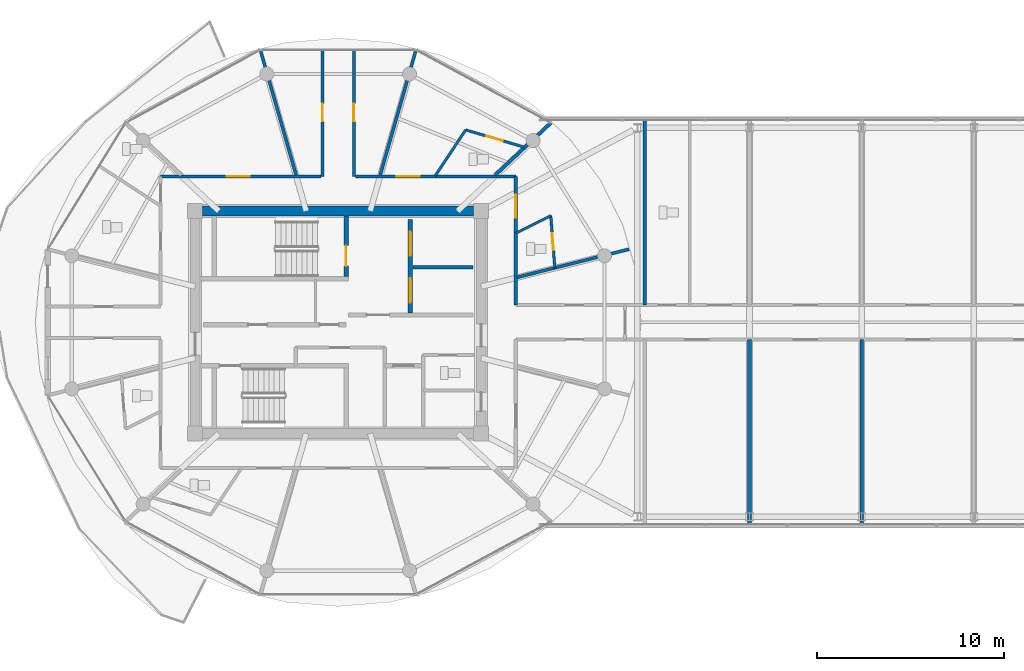
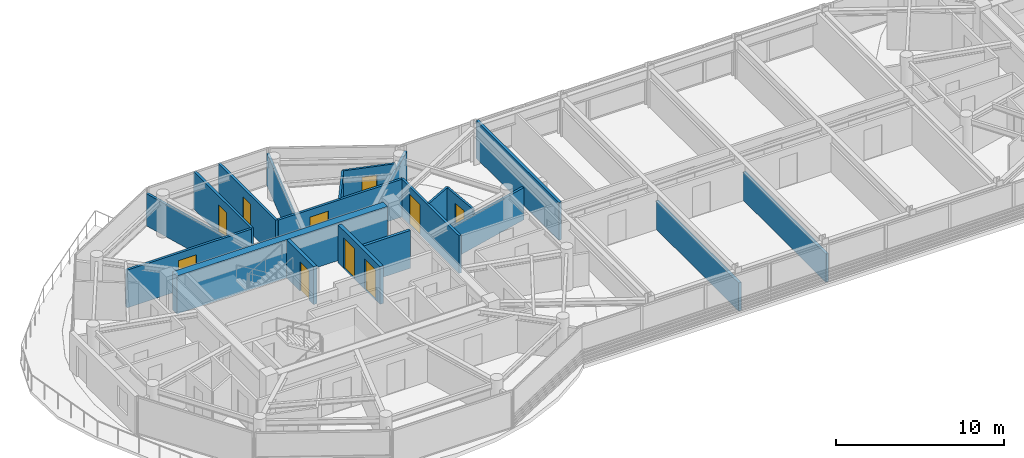
# One storey, part 16 of 26: 20 walls, 10 doors, 10 openings.
"""IFC4 building model written with IfcOpenShell, lengths in metres."""

import ifcopenshell
import ifcopenshell.guid

model = None  # the IFC model being written
_history = None  # IfcOwnerHistory: only IFC2X3 demands one
_inside = {}  # id of a spatial element -> (the spatial element, [elements in it])
_under = {}  # id of a project, library or spatial element -> (it, [spatial elements below it])
_declared = {}  # id of a project -> (the project, [libraries it declares])
_typed = {}  # id of a type object -> (the type object, [elements of that type])
_made_of = {}  # id of a material, layer set ... -> (it, [elements and type objects made of it])


def new_model(schema):
    """Start an empty IFC model of exactly this schema.

    Asked for "IFC4X3", IfcOpenShell would pick the latest addendum, in which some entities
    have other attributes; the version numbers below select the first issue.
    IFC2X3 requires an IfcOwnerHistory on every rooted entity: one is made here for all.
    """
    global model, _history
    if schema == "IFC4X3":
        model = ifcopenshell.file(schema_version=(4, 3, 0, 0))
    else:
        model = ifcopenshell.file(schema=schema)
    _inside.clear()
    _under.clear()
    _declared.clear()
    _typed.clear()
    _made_of.clear()
    _history = None
    if model.schema == "IFC2X3":
        org = make("IfcOrganization", Name="unknown")
        user = make(
            "IfcPersonAndOrganization",
            ThePerson=make("IfcPerson", FamilyName="unknown"),
            TheOrganization=org,
        )
        app = make(
            "IfcApplication",
            ApplicationDeveloper=org,
            Version="unknown",
            ApplicationFullName="unknown",
            ApplicationIdentifier="unknown",
        )
        _history = make(
            "IfcOwnerHistory",
            OwningUser=user,
            OwningApplication=app,
            ChangeAction="ADDED",
            CreationDate=0,
        )
    return model


def make(cls, **values):
    """One entity of the class cls with the attributes given. An attribute that is None is left unset."""
    return model.create_entity(
        cls, **{name: value for name, value in values.items() if value is not None}
    )


def rooted(cls, **values):
    """An entity with a GlobalId (a new one), such as an element, a storey or a relation."""
    return make(cls, GlobalId=ifcopenshell.guid.new(), OwnerHistory=_history, **values)


def si_unit(unit_type, name, prefix=None):
    """IfcSIUnit, for example si_unit("LENGTHUNIT", "METRE", prefix="MILLI")."""
    return make("IfcSIUnit", UnitType=unit_type, Prefix=prefix, Name=name)


def assignment(units):
    """IfcUnitAssignment: the units of a project."""
    return None if units is None else make("IfcUnitAssignment", Units=units)


def point(xyz):
    """IfcCartesianPoint."""
    return None if xyz is None else make("IfcCartesianPoint", Coordinates=xyz)


def direction(xyz):
    """IfcDirection."""
    return None if xyz is None else make("IfcDirection", DirectionRatios=xyz)


def frame(location, z_axis=None, x_axis=None):
    """IfcAxis2Placement3D, a coordinate frame: its origin and axes. An axis left out is left unset."""
    return make(
        "IfcAxis2Placement3D",
        Location=point(location),
        Axis=direction(z_axis),
        RefDirection=direction(x_axis),
    )


def frame_2d(location, x_axis=None):
    """IfcAxis2Placement2D, a coordinate frame in the plane: its origin and x axis."""
    return make(
        "IfcAxis2Placement2D", Location=point(location), RefDirection=direction(x_axis)
    )


def origin():
    """The frame at (0, 0, 0) with its axes left unset."""
    return frame((0.0, 0.0, 0.0))


def place(relative_to, where):
    """IfcLocalPlacement: puts the frame where relative to a parent placement (None: the world)."""
    return make(
        "IfcLocalPlacement", PlacementRelTo=relative_to, RelativePlacement=where
    )


def context(
    kind, dimensions, precision=None, world=None, true_north=None, identifier=None
):
    """IfcGeometricRepresentationContext, for example the 3D "Model" context."""
    return make(
        "IfcGeometricRepresentationContext",
        ContextIdentifier=identifier,
        ContextType=kind,
        CoordinateSpaceDimension=dimensions,
        Precision=precision,
        WorldCoordinateSystem=world,
        TrueNorth=true_north,
    )


def subcontext(parent, identifier, kind, view, scale=None):
    """IfcGeometricRepresentationSubContext, for example "Body" below "Model"."""
    return make(
        "IfcGeometricRepresentationSubContext",
        ContextIdentifier=identifier,
        ContextType=kind,
        ParentContext=parent,
        TargetScale=scale,
        TargetView=view,
    )


def project(units=None, contexts=None):
    """IfcProject with its units and contexts."""
    return rooted(
        "IfcProject",
        Name="project",
        RepresentationContexts=contexts,
        UnitsInContext=assignment(units),
    )


def spatial(cls, under=None, at=None, **own):
    """A site, building, storey or space (cls), placed at a placement, below another one or the project."""
    s = rooted(cls, ObjectPlacement=at, **own)
    if under is not None:
        _under.setdefault(under.id(), (under, []))[1].append(s)
    return s


def profile(cls, at=None, kind="AREA", **sizes):
    """A parametric profile (cls). Its sizes go by their IFC names, for example OverallWidth=200.0."""
    return make(cls, ProfileType=kind, Position=at, **sizes)


def rectangle(**sizes):
    """IfcRectangleProfileDef."""
    return profile("IfcRectangleProfileDef", **sizes)


def extrude(swept, where, along, depth):
    """IfcExtrudedAreaSolid: the profile swept, set in the frame where, extruded along a direction by depth."""
    return make(
        "IfcExtrudedAreaSolid",
        SweptArea=swept,
        Position=where,
        ExtrudedDirection=direction(along),
        Depth=depth,
    )


def shape(context_of_items, identifier, shape_type, items):
    """IfcShapeRepresentation: the items that make up one representation, for example the "Body"."""
    return make(
        "IfcShapeRepresentation",
        ContextOfItems=context_of_items,
        RepresentationIdentifier=identifier,
        RepresentationType=shape_type,
        Items=items,
    )


def source(mapping_origin, context_of_items, identifier, shape_type, items):
    """IfcRepresentationMap: a shape defined once, which mapped items show again and again."""
    return make(
        "IfcRepresentationMap",
        MappingOrigin=mapping_origin,
        MappedRepresentation=shape(context_of_items, identifier, shape_type, items),
    )


def transform(
    local_origin,
    x_axis=None,
    y_axis=None,
    z_axis=None,
    scale=None,
    scale2=None,
    scale3=None,
    uniform=True,
):
    """IfcCartesianTransformationOperator3D, or its non-uniform kind. x_axis, y_axis, z_axis: its Axis1, 2, 3."""
    if uniform:
        return make(
            "IfcCartesianTransformationOperator3D",
            Axis1=direction(x_axis),
            Axis2=direction(y_axis),
            LocalOrigin=point(local_origin),
            Scale=scale,
            Axis3=direction(z_axis),
        )
    return make(
        "IfcCartesianTransformationOperator3DnonUniform",
        Axis1=direction(x_axis),
        Axis2=direction(y_axis),
        LocalOrigin=point(local_origin),
        Scale=scale,
        Axis3=direction(z_axis),
        Scale2=scale2,
        Scale3=scale3,
    )


def mapped(mapping_source, mapping_target):
    """IfcMappedItem: shows the shape of a source again, moved by a transform."""
    return make(
        "IfcMappedItem", MappingSource=mapping_source, MappingTarget=mapping_target
    )


def material(Name=None, Category=None):
    """IfcMaterial."""
    return make("IfcMaterial", Name=Name, Category=Category)


def layer(
    of_material, thickness, ventilated=None, Name=None, Category=None, Priority=None
):
    """IfcMaterialLayer: one layer of a wall or slab, of a material (None: an air gap)."""
    return make(
        "IfcMaterialLayer",
        Material=of_material,
        LayerThickness=thickness,
        IsVentilated=ventilated,
        Name=Name,
        Category=Category,
        Priority=Priority,
    )


def layer_set(layers, Name=None):
    """IfcMaterialLayerSet."""
    return make("IfcMaterialLayerSet", MaterialLayers=layers, LayerSetName=Name)


def made_of(thing, what):
    """Note that an element or type object is made of a material, layer set ...; save() writes the relation."""
    if what is not None:
        _made_of.setdefault(what.id(), (what, []))[1].append(thing)
    return thing


def type_object(cls, material=None, **own):
    """A type object (cls), such as IfcWallType, which elements share."""
    return made_of(rooted(cls, **own), material)


def type_shapes(of_type, sources):
    """Give a type object the sources (RepresentationMaps) that its elements show as mapped items."""
    of_type.RepresentationMaps = sources


def element(
    cls,
    number,
    at=None,
    inside=None,
    cuts=None,
    type_object=None,
    material=None,
    context=None,
    identifier="Body",
    shape_type=None,
    held_by="IfcProductDefinitionShape",
    body=None,
    shapes=None,
    **own,
):
    """One element of the class cls, such as IfcWall. Its Tag is "e" and its number.

    at: its placement. inside: the storey or other place that contains it. cuts: it is an
    opening in that element (IfcRelVoidsElement). A single representation is given by context,
    identifier, shape_type and body (its items); several are given by shapes. held_by: the class
    of the entity that holds the representations. save() writes the other relations.
    """
    e = rooted(cls, Tag="e%d" % number, ObjectPlacement=at, **own)
    if body is not None:
        shapes = [shape(context, identifier, shape_type, body)]
    if shapes is not None:
        e.Representation = make(held_by, Representations=shapes)
    if inside is not None:
        _inside.setdefault(inside.id(), (inside, []))[1].append(e)
    if cuts is not None:
        rooted(
            "IfcRelVoidsElement", RelatingBuildingElement=cuts, RelatedOpeningElement=e
        )
    if type_object is not None:
        _typed.setdefault(type_object.id(), (type_object, []))[1].append(e)
    return made_of(e, material)


def fill(opening, filler):
    """IfcRelFillsElement: the door or window that sits in an opening."""
    return rooted(
        "IfcRelFillsElement",
        RelatingOpeningElement=opening,
        RelatedBuildingElement=filler,
    )


def aggregate(whole, parts):
    """IfcRelAggregates: a whole, such as a stair, and the parts it consists of."""
    return rooted("IfcRelAggregates", RelatingObject=whole, RelatedObjects=parts)


def save(model, path):
    """Write the relations noted so far, then the file.

    IfcRelAggregates (storeys below a building ...), IfcRelContainedInSpatialStructure (elements
    in a storey), IfcRelDefinesByType, IfcRelAssociatesMaterial and IfcRelDeclares: one each for
    every whole, place, type object, material and project.
    """
    for whole, parts in _under.values():
        aggregate(whole, parts)
    for where, things in _inside.values():
        rooted(
            "IfcRelContainedInSpatialStructure",
            RelatedElements=things,
            RelatingStructure=where,
        )
    for kind, things in _typed.values():
        rooted("IfcRelDefinesByType", RelatedObjects=things, RelatingType=kind)
    for what, things in _made_of.values():
        rooted("IfcRelAssociatesMaterial", RelatedObjects=things, RelatingMaterial=what)
    for by, libraries in _declared.values():
        rooted("IfcRelDeclares", RelatingContext=by, RelatedDefinitions=libraries)
    model.write(path)


model = new_model("IFC4")

# Units and contexts
model_context = context("Model", 3, precision=1e-05, world=origin(), true_north=direction((0.0, 1.0)))
body_context = subcontext(model_context, "Body", "Model", "MODEL_VIEW")
ifc_project = project(units=[si_unit("LENGTHUNIT", "METRE"), si_unit("AREAUNIT", "SQUARE_METRE"), si_unit("VOLUMEUNIT", "CUBIC_METRE"), si_unit("PLANEANGLEUNIT", "RADIAN"), si_unit("MASSUNIT", "GRAM", prefix="KILO")], contexts=[model_context])

# Site, building, storey
site_placement = place(None, origin())
site = spatial("IfcSite", under=ifc_project, at=site_placement, CompositionType="ELEMENT")
building_placement = place(site_placement, origin())
building = spatial("IfcBuilding", under=site, at=building_placement, Name="Norrkilde Senior Care Towers", CompositionType="ELEMENT")
storey_placement = place(building_placement, frame((0.0, 0.0, 210.85009765625)))
storey = spatial("IfcBuildingStorey", under=building, at=storey_placement, Name="L65", CompositionType="ELEMENT", Elevation=210.85009765625)

# Wall
ifc_material_1 = material(Name="Concrete C50/60", Category="concrete")
ifc_layer_1 = layer(ifc_material_1, 0.52001953125)
ifc_layer_set_1 = layer_set([ifc_layer_1], Name="Concrete C50/60")
wall_type_1 = type_object("IfcWallType", Name="Core Shear Wall Z4 520", PredefinedType="SHEAR", material=ifc_layer_set_1)
shared_shape_1 = source(origin(), body_context, "Body", "SweptSolid", [
    extrude(rectangle(XDim=14.5, YDim=0.52001953125, at=frame_2d((7.25, 0.0))), origin(), (0.0, 0.0, 1.0), 2.760009765625),
])
type_shapes(wall_type_1, [shared_shape_1])
wall_1_placement = place(storey_placement, frame((-35.25, 5.949951171875, 0.0), z_axis=(0.0, 0.0, 1.0), x_axis=(1.0, 0.0, 0.0)))
element("IfcWall", 1, at=wall_1_placement, inside=storey, type_object=wall_type_1, Name="L65 Core W North Shear Wall", PredefinedType="SHEAR", context=body_context, shape_type="MappedRepresentation", body=[
    mapped(shared_shape_1, transform((0.0, 0.0, 0.0), x_axis=(1.0, 0.0, 0.0), y_axis=(0.0, 1.0, 0.0), z_axis=(0.0, 0.0, 1.0), scale=1.0)),
])

# Wall, opening, door
ifc_material_2 = material(Name="Concrete C45/55", Category="concrete")
ifc_layer_2 = layer(ifc_material_2, 0.239990234375)
ifc_layer_set_2 = layer_set([ifc_layer_2], Name="Concrete C45/55")
wall_type_2 = type_object("IfcWallType", Name="Shaft and Stair Enclosure Wall 240", PredefinedType="PARTITIONING", material=ifc_layer_set_2)
shared_shape_2 = source(origin(), body_context, "Body", "SweptSolid", [
    extrude(rectangle(XDim=3.239990234375, YDim=0.239990234375, at=frame_2d((1.6201171875, 0.0))), origin(), (0.0, 0.0, 1.0), 2.760009765625),
])
type_shapes(wall_type_2, [shared_shape_2])
wall_2_placement = place(storey_placement, frame((-27.580078125, 2.449951171875, 0.0), z_axis=(0.0, 0.0, 1.0), x_axis=(0.0, 1.0, 0.0)))
wall_2 = element("IfcWall", 2, at=wall_2_placement, inside=storey, type_object=wall_type_2, Name="WL-INT-L65-W-ST1E", PredefinedType="PARTITIONING", context=body_context, shape_type="MappedRepresentation", body=[
    mapped(shared_shape_2, transform((0.0, 0.0, 0.0), x_axis=(1.0, 0.0, 0.0), y_axis=(0.0, 1.0, 0.0), z_axis=(0.0, 0.0, 1.0), scale=1.0)),
])
opening_1_placement = place(wall_2_placement, frame((0.550048828125, 0.0, 0.0)))
opening_1 = element("IfcOpeningElement", 3, at=opening_1_placement, cuts=wall_2, Name="Opening D-03", PredefinedType="OPENING", context=body_context, shape_type="SweptSolid", body=[
    extrude(rectangle(XDim=1.10009765625, YDim=2.14990234375, at=frame_2d((0.550048828125, 1.074951171875))), frame((0.0, 0.1298828125, 0.0), z_axis=(0.0, -1.0, 0.0), x_axis=(1.0, 0.0, 0.0)), (0.0, 0.0, 1.0), 0.260009765625),
])
ifc_material_3 = material(Name="Galvanised Painted Steel", Category="steel")
door_type_1 = type_object("IfcDoorType", Name="Stairwell Protected Fire Door 1100x2150", OperationType="NOTDEFINED", PredefinedType="DOOR", material=ifc_material_3)
shared_shape_3 = source(origin(), body_context, "Body", "SweptSolid", [
    extrude(rectangle(XDim=1.10009765625, YDim=2.14990234375, at=frame_2d((0.550048828125, 1.074951171875))), frame((0.0, 0.02490234375, 0.0), z_axis=(0.0, -1.0, 0.0), x_axis=(1.0, 0.0, 0.0)), (0.0, 0.0, 1.0), 0.050048828125),
])
type_shapes(door_type_1, [shared_shape_3])
door_1_placement = place(opening_1_placement, origin())
door_1 = element("IfcDoor", 4, at=door_1_placement, inside=storey, type_object=door_type_1, Name="L65 Stair W1 Fire Door", OperationType="SINGLE_SWING_LEFT", OverallHeight=2.14990234375, OverallWidth=1.10009765625, PredefinedType="DOOR", context=body_context, shape_type="MappedRepresentation", body=[
    mapped(shared_shape_3, transform((0.0, 0.0, 0.0), x_axis=(1.0, 0.0, 0.0), y_axis=(0.0, 1.0, 0.0), z_axis=(0.0, 0.0, 1.0), scale=1.0)),
])
fill(opening_1, door_1)

# Walls
ifc_material_4 = material(Name="Gypsum Acoustic Board")
ifc_layer_3 = layer(ifc_material_4, 0.1650390625)
ifc_layer_set_3 = layer_set([ifc_layer_3], Name="Gypsum Acoustic Board")
wall_type_3 = type_object("IfcWallType", Name="Corridor Rated Partition 165", PredefinedType="PARTITIONING", material=ifc_layer_set_3)
shared_shape_4 = source(origin(), body_context, "Body", "SweptSolid", [
    extrude(rectangle(XDim=6.973876953125, YDim=0.1650390625, at=frame_2d((3.48681640625, 0.0))), origin(), (0.0, 0.0, 1.0), 2.344970703125),
])
for number, where, z_axis, x_axis, name in (
    (5, (-25.748779296875, 7.8798828125, 0.0), (0.0, 0.0, 1.0), (0.274707256801, 0.961527910703, 0.0), "WL-INT-L65-W-DEM-02-0"),
    (6, (-30.251220703125, 7.8798828125, 0.0), (0.0, 0.0, 1.0), (-0.274707256801, 0.961527910703, 0.0), "WL-INT-L65-W-DEM-03-0"),
):
    element("IfcWall", number, at=place(storey_placement, frame(where, z_axis=z_axis, x_axis=x_axis)), inside=storey, type_object=wall_type_3, Name=name, PredefinedType="PARTITIONING", context=body_context, shape_type="MappedRepresentation", body=[
        mapped(shared_shape_4, transform((0.0, 0.0, 0.0), x_axis=(1.0, 0.0, 0.0), y_axis=(0.0, 1.0, 0.0), z_axis=(0.0, 0.0, 1.0), scale=1.0)),
    ])
shared_shape_5 = source(origin(), body_context, "Body", "SweptSolid", [
    extrude(rectangle(XDim=6.1572265625, YDim=0.1650390625, at=frame_2d((3.07861328125, 0.0))), origin(), (0.0, 0.0, 1.0), 2.344970703125),
])
wall_3_placement = place(storey_placement, frame((-18.419921875, 2.407470703125, 0.0), z_axis=(0.0, 0.0, 1.0), x_axis=(0.969840867184, 0.243738984038, 0.0)))
element("IfcWall", 7, at=wall_3_placement, inside=storey, type_object=wall_type_3, Name="WL-INT-L65-W-DEM-00-0", PredefinedType="PARTITIONING", context=body_context, shape_type="MappedRepresentation", body=[
    mapped(shared_shape_5, transform((0.0, 0.0, 0.0), x_axis=(1.0, 0.0, 0.0), y_axis=(0.0, 1.0, 0.0), z_axis=(0.0, 0.0, 1.0), scale=1.0)),
])
ifc_layer_4 = layer(ifc_material_4, 0.18994140625)
ifc_layer_set_4 = layer_set([ifc_layer_4], Name="Gypsum Acoustic Board")
wall_type_4 = type_object("IfcWallType", Name="Unit Demising Acoustic Wall 190", PredefinedType="PARTITIONING", material=ifc_layer_set_4)
shared_shape_6 = source(origin(), body_context, "Body", "SweptSolid", [
    extrude(rectangle(XDim=4.089111328125, YDim=0.18994140625, at=frame_2d((2.04443359375, 0.0))), origin(), (0.0, 0.0, 1.0), 2.344970703125),
])
wall_4_placement = place(storey_placement, frame((-19.59814453125, 7.8798828125, 0.0), z_axis=(0.0, 0.0, 1.0), x_axis=(0.729401273609, 0.684086092577, 0.0)))
element("IfcWall", 8, at=wall_4_placement, inside=storey, type_object=wall_type_4, Name="WL-INT-L65-W-DEM-01-0", PredefinedType="PARTITIONING", context=body_context, shape_type="MappedRepresentation", body=[
    mapped(shared_shape_6, transform((0.0, 0.0, 0.0), x_axis=(1.0, 0.0, 0.0), y_axis=(0.0, 1.0, 0.0), z_axis=(0.0, 0.0, 1.0), scale=1.0)),
])

# Wall, openings, doors
ifc_layer_5 = layer(ifc_material_2, 0.239990234375)
ifc_layer_set_5 = layer_set([ifc_layer_5], Name="Concrete C45/55")
wall_type_5 = type_object("IfcWallType", Name="Lift and Plant Rated Enclosure Partition 240", PredefinedType="PARTITIONING", material=ifc_layer_set_5)
shared_shape_7 = source(origin(), body_context, "Body", "SweptSolid", [
    extrude(rectangle(XDim=5.0, YDim=0.239990234375, at=frame_2d((2.5, 0.0))), origin(), (0.0, 0.0, 1.0), 2.744873046875),
])
type_shapes(wall_type_5, [shared_shape_7])
wall_5_placement = place(storey_placement, frame((-24.139892578125, 0.5, 0.0), z_axis=(0.0, 0.0, 1.0), x_axis=(0.0, 1.0, 0.0)))
wall_5 = element("IfcWall", 9, at=wall_5_placement, inside=storey, type_object=wall_type_5, Name="WL-INT-L65-W-FFLE", PredefinedType="PARTITIONING", context=body_context, shape_type="MappedRepresentation", body=[
    mapped(shared_shape_7, transform((0.0, 0.0, 0.0), x_axis=(1.0, 0.0, 0.0), y_axis=(0.0, 1.0, 0.0), z_axis=(0.0, 0.0, 1.0), scale=1.0)),
])
opening_2_placement = place(wall_5_placement, frame((3.050048828125, 0.0, 0.0)))
opening_2 = element("IfcOpeningElement", 10, at=opening_2_placement, cuts=wall_5, Name="Opening LD-02", PredefinedType="OPENING", context=body_context, shape_type="SweptSolid", body=[
    extrude(rectangle(XDim=1.300048828125, YDim=2.199951171875, at=frame_2d((0.64990234375, 1.10009765625))), frame((0.0, 0.1298828125, 0.0), z_axis=(0.0, -1.0, 0.0), x_axis=(1.0, 0.0, 0.0)), (0.0, 0.0, 1.0), 0.260009765625),
])
opening_3_placement = place(wall_5_placement, frame((0.550048828125, 0.0, 0.0)))
opening_3 = element("IfcOpeningElement", 11, at=opening_3_placement, cuts=wall_5, Name="Opening LD-02", PredefinedType="OPENING", context=body_context, shape_type="SweptSolid", body=[
    extrude(rectangle(XDim=1.300048828125, YDim=2.199951171875, at=frame_2d((0.64990234375, 1.10009765625))), frame((0.0, 0.1298828125, 0.0), z_axis=(0.0, -1.0, 0.0), x_axis=(1.0, 0.0, 0.0)), (0.0, 0.0, 1.0), 0.260009765625),
])
ifc_material_5 = material(Name="Stainless Steel", Category="steel")
door_type_2 = type_object("IfcDoorType", Name="Stretcher and FFL Landing Sliding Door 1300x2200", OperationType="NOTDEFINED", PredefinedType="DOOR", material=ifc_material_5)
shared_shape_8 = source(origin(), body_context, "Body", "SweptSolid", [
    extrude(rectangle(XDim=1.300048828125, YDim=2.199951171875, at=frame_2d((0.64990234375, 1.10009765625))), frame((0.0, 0.02490234375, 0.0), z_axis=(0.0, -1.0, 0.0), x_axis=(1.0, 0.0, 0.0)), (0.0, 0.0, 1.0), 0.050048828125),
])
type_shapes(door_type_2, [shared_shape_8])
door_2_placement = place(opening_2_placement, origin())
door_2 = element("IfcDoor", 12, at=door_2_placement, inside=storey, type_object=door_type_2, Name="L65 Firefighting Lift W1 Landing Door", OperationType="SLIDING_TO_LEFT", OverallHeight=2.199951171875, OverallWidth=1.300048828125, PredefinedType="DOOR", context=body_context, shape_type="MappedRepresentation", body=[
    mapped(shared_shape_8, transform((0.0, 0.0, 0.0), x_axis=(1.0, 0.0, 0.0), y_axis=(0.0, 1.0, 0.0), z_axis=(0.0, 0.0, 1.0), scale=1.0)),
])
fill(opening_2, door_2)
door_3_placement = place(opening_3_placement, origin())
door_3 = element("IfcDoor", 13, at=door_3_placement, inside=storey, type_object=door_type_2, Name="L65 Stretcher Lift W1 Landing Door", OperationType="SLIDING_TO_RIGHT", OverallHeight=2.199951171875, OverallWidth=1.300048828125, PredefinedType="DOOR", context=body_context, shape_type="MappedRepresentation", body=[
    mapped(shared_shape_8, transform((0.0, 0.0, 0.0), x_axis=(1.0, 0.0, 0.0), y_axis=(0.0, 1.0, 0.0), z_axis=(0.0, 0.0, 1.0), scale=1.0)),
])
fill(opening_3, door_3)

# Wall
ifc_layer_6 = layer(ifc_material_2, 0.199951171875)
ifc_layer_set_6 = layer_set([ifc_layer_6], Name="Concrete C45/55")
wall_type_6 = type_object("IfcWallType", Name="Shaft Division and Plant Partition 200", PredefinedType="PARTITIONING", material=ifc_layer_set_6)
shared_shape_9 = source(origin(), body_context, "Body", "SweptSolid", [
    extrude(rectangle(XDim=3.199951171875, YDim=0.199951171875, at=frame_2d((1.60009765625, 0.0))), origin(), (0.0, 0.0, 1.0), 2.744873046875),
])
type_shapes(wall_type_6, [shared_shape_9])
wall_6_placement = place(storey_placement, frame((-24.0, 2.949951171875, 0.0), z_axis=(0.0, 0.0, 1.0), x_axis=(1.0, 0.0, 0.0)))
element("IfcWall", 14, at=wall_6_placement, inside=storey, type_object=wall_type_6, Name="WL-INT-L65-W-FFLDIV", PredefinedType="PARTITIONING", context=body_context, shape_type="MappedRepresentation", body=[
    mapped(shared_shape_9, transform((0.0, 0.0, 0.0), x_axis=(1.0, 0.0, 0.0), y_axis=(0.0, 1.0, 0.0), z_axis=(0.0, 0.0, 1.0), scale=1.0)),
])

# Wall, opening, door
shared_shape_10 = source(origin(), body_context, "Body", "SweptSolid", [
    extrude(rectangle(XDim=8.580078125, YDim=0.1650390625, at=frame_2d((4.2900390625, 0.0))), origin(), (0.0, 0.0, 1.0), 2.744873046875),
])
wall_7_placement = place(storey_placement, frame((-37.5, 7.800048828125, 0.0), z_axis=(0.0, 0.0, 1.0), x_axis=(1.0, 0.0, 0.0)))
wall_7 = element("IfcWall", 15, at=wall_7_placement, inside=storey, type_object=wall_type_3, Name="WL-INT-L65-W-CRW-N-0", PredefinedType="PARTITIONING", context=body_context, shape_type="MappedRepresentation", body=[
    mapped(shared_shape_10, transform((0.0, 0.0, 0.0), x_axis=(1.0, 0.0, 0.0), y_axis=(0.0, 1.0, 0.0), z_axis=(0.0, 0.0, 1.0), scale=1.0)),
])
opening_4_placement = place(wall_7_placement, frame((3.527587890625, 0.0, 0.0)))
opening_4 = element("IfcOpeningElement", 16, at=opening_4_placement, cuts=wall_7, Name="Opening D-05", PredefinedType="OPENING", context=body_context, shape_type="SweptSolid", body=[
    extrude(rectangle(XDim=1.25, YDim=2.199951171875, at=frame_2d((0.625, 1.10009765625))), frame((0.0, 0.092529296875, 0.0), z_axis=(0.0, -1.0, 0.0), x_axis=(1.0, 0.0, 0.0)), (0.0, 0.0, 1.0), 0.18505859375),
])
ifc_material_6 = material(Name="Nordic Ash Timber", Category="wood")
door_type_3 = type_object("IfcDoorType", Name="Care Bedroom Bariatric Door 1250x2200", OperationType="NOTDEFINED", PredefinedType="DOOR", material=ifc_material_6)
shared_shape_11 = source(origin(), body_context, "Body", "SweptSolid", [
    extrude(rectangle(XDim=1.25, YDim=2.199951171875, at=frame_2d((0.625, 1.10009765625))), frame((0.0, 0.02490234375, 0.0), z_axis=(0.0, -1.0, 0.0), x_axis=(1.0, 0.0, 0.0)), (0.0, 0.0, 1.0), 0.050048828125),
])
type_shapes(door_type_3, [shared_shape_11])
door_4_placement = place(opening_4_placement, frame((1.25, 0.0, 0.0), z_axis=(0.0, 0.0, 1.0), x_axis=(-1.0, 0.0, 0.0)))
door_4 = element("IfcDoor", 17, at=door_4_placement, inside=storey, type_object=door_type_3, Name="L65 Geriatric Rehabilitation Clinic Door", OperationType="SINGLE_SWING_RIGHT", OverallHeight=2.199951171875, OverallWidth=1.25, PredefinedType="DOOR", context=body_context, shape_type="MappedRepresentation", body=[
    mapped(shared_shape_11, transform((0.0, 0.0, 0.0), x_axis=(1.0, 0.0, 0.0), y_axis=(0.0, 1.0, 0.0), z_axis=(0.0, 0.0, 1.0), scale=1.0)),
])
fill(opening_4, door_4)

wall_8_placement = place(storey_placement, frame((-27.080078125, 7.800048828125, 0.0), z_axis=(0.0, 0.0, 1.0), x_axis=(1.0, 0.0, 0.0)))
wall_8 = element("IfcWall", 18, at=wall_8_placement, inside=storey, type_object=wall_type_3, Name="WL-INT-L65-W-CRW-N-1", PredefinedType="PARTITIONING", context=body_context, shape_type="MappedRepresentation", body=[
    mapped(shared_shape_10, transform((0.0, 0.0, 0.0), x_axis=(1.0, 0.0, 0.0), y_axis=(0.0, 1.0, 0.0), z_axis=(0.0, 0.0, 1.0), scale=1.0)),
])
opening_5_placement = place(wall_8_placement, frame((2.18017578125, 0.0, 0.0)))
opening_5 = element("IfcOpeningElement", 19, at=opening_5_placement, cuts=wall_8, Name="Opening D-05", PredefinedType="OPENING", context=body_context, shape_type="SweptSolid", body=[
    extrude(rectangle(XDim=1.25, YDim=2.199951171875, at=frame_2d((0.625, 1.10009765625))), frame((0.0, 0.092529296875, 0.0), z_axis=(0.0, -1.0, 0.0), x_axis=(1.0, 0.0, 0.0)), (0.0, 0.0, 1.0), 0.18505859375),
])
door_5_placement = place(opening_5_placement, frame((1.25, 0.0, 0.0), z_axis=(0.0, 0.0, 1.0), x_axis=(-1.0, 0.0, 0.0)))
door_5 = element("IfcDoor", 20, at=door_5_placement, inside=storey, type_object=door_type_3, Name="L65 Care Suite 6501 Entrance Door", OperationType="SINGLE_SWING_RIGHT", OverallHeight=2.199951171875, OverallWidth=1.25, PredefinedType="DOOR", context=body_context, shape_type="MappedRepresentation", body=[
    mapped(shared_shape_11, transform((0.0, 0.0, 0.0), x_axis=(1.0, 0.0, 0.0), y_axis=(0.0, 1.0, 0.0), z_axis=(0.0, 0.0, 1.0), scale=1.0)),
])
fill(opening_5, door_5)

shared_shape_12 = source(origin(), body_context, "Body", "SweptSolid", [
    extrude(rectangle(XDim=6.880126953125, YDim=0.1650390625, at=frame_2d((3.43994140625, 0.0))), origin(), (0.0, 0.0, 1.0), 2.744873046875),
])
wall_9_placement = place(storey_placement, frame((-18.5, 7.800048828125, 0.0), z_axis=(0.0, 0.0, 1.0), x_axis=(0.0, -1.0, 0.0)))
wall_9 = element("IfcWall", 21, at=wall_9_placement, inside=storey, type_object=wall_type_3, Name="WL-INT-L65-W-CRW-E-0", PredefinedType="PARTITIONING", context=body_context, shape_type="MappedRepresentation", body=[
    mapped(shared_shape_12, transform((0.0, 0.0, 0.0), x_axis=(1.0, 0.0, 0.0), y_axis=(0.0, 1.0, 0.0), z_axis=(0.0, 0.0, 1.0), scale=1.0)),
])
opening_6_placement = place(wall_9_placement, frame((0.96826171875, 0.0, 0.0)))
opening_6 = element("IfcOpeningElement", 22, at=opening_6_placement, cuts=wall_9, Name="Opening D-05", PredefinedType="OPENING", context=body_context, shape_type="SweptSolid", body=[
    extrude(rectangle(XDim=1.25, YDim=2.199951171875, at=frame_2d((0.625, 1.10009765625))), frame((0.0, 0.092529296875, 0.0), z_axis=(0.0, -1.0, 0.0), x_axis=(1.0, 0.0, 0.0)), (0.0, 0.0, 1.0), 0.18505859375),
])
door_6_placement = place(opening_6_placement, frame((1.25, 0.0, 0.0), z_axis=(0.0, 0.0, 1.0), x_axis=(-1.0, 0.0, 0.0)))
door_6 = element("IfcDoor", 23, at=door_6_placement, inside=storey, type_object=door_type_3, Name="L65 Care Suite 6500 Entrance Door", OperationType="SINGLE_SWING_LEFT", OverallHeight=2.199951171875, OverallWidth=1.25, PredefinedType="DOOR", context=body_context, shape_type="MappedRepresentation", body=[
    mapped(shared_shape_11, transform((0.0, 0.0, 0.0), x_axis=(1.0, 0.0, 0.0), y_axis=(0.0, 1.0, 0.0), z_axis=(0.0, 0.0, 1.0), scale=1.0)),
])
fill(opening_6, door_6)

shared_shape_13 = source(origin(), body_context, "Body", "SweptSolid", [
    extrude(rectangle(XDim=6.83544921875, YDim=0.1650390625, at=frame_2d((3.417724609375, 0.0))), origin(), (0.0, 0.0, 1.0), 2.744873046875),
])
type_shapes(wall_type_3, [shared_shape_4, shared_shape_5, shared_shape_10, shared_shape_12, shared_shape_13])
wall_10_placement = place(storey_placement, frame((-28.840087890625, 7.800048828125, 0.0), z_axis=(0.0, 0.0, 1.0), x_axis=(0.0, 1.0, 0.0)))
wall_10 = element("IfcWall", 24, at=wall_10_placement, inside=storey, type_object=wall_type_3, Name="WL-INT-L65-W-SPK-N1-0", PredefinedType="PARTITIONING", context=body_context, shape_type="MappedRepresentation", body=[
    mapped(shared_shape_13, transform((0.0, 0.0, 0.0), x_axis=(1.0, 0.0, 0.0), y_axis=(0.0, 1.0, 0.0), z_axis=(0.0, 0.0, 1.0), scale=1.0)),
])
opening_7_placement = place(wall_10_placement, frame((2.942626953125, 0.0, 0.0)))
opening_7 = element("IfcOpeningElement", 25, at=opening_7_placement, cuts=wall_10, Name="Opening D-07", PredefinedType="OPENING", context=body_context, shape_type="SweptSolid", body=[
    extrude(rectangle(XDim=0.949951171875, YDim=2.10009765625, at=frame_2d((0.47509765625, 1.050048828125))), frame((0.0, 0.092529296875, 0.0), z_axis=(0.0, -1.0, 0.0), x_axis=(1.0, 0.0, 0.0)), (0.0, 0.0, 1.0), 0.18505859375),
])
door_type_4 = type_object("IfcDoorType", Name="Internal Suite Bedroom Door 950x2100", OperationType="NOTDEFINED", PredefinedType="DOOR", material=ifc_material_6)
shared_shape_14 = source(origin(), body_context, "Body", "SweptSolid", [
    extrude(rectangle(XDim=0.949951171875, YDim=2.10009765625, at=frame_2d((0.47509765625, 1.050048828125))), frame((0.0, 0.02490234375, 0.0), z_axis=(0.0, -1.0, 0.0), x_axis=(1.0, 0.0, 0.0)), (0.0, 0.0, 1.0), 0.050048828125),
])
type_shapes(door_type_4, [shared_shape_14])
door_7_placement = place(opening_7_placement, frame((0.949951171875, 0.0, 0.0), z_axis=(0.0, 0.0, 1.0), x_axis=(-1.0, 0.0, 0.0)))
door_7 = element("IfcDoor", 26, at=door_7_placement, inside=storey, type_object=door_type_4, Name="L65 Sun Reading Lounge 3 Door", OperationType="SINGLE_SWING_RIGHT", OverallHeight=2.10009765625, OverallWidth=0.949951171875, PredefinedType="DOOR", context=body_context, shape_type="MappedRepresentation", body=[
    mapped(shared_shape_14, transform((0.0, 0.0, 0.0), x_axis=(1.0, 0.0, 0.0), y_axis=(0.0, 1.0, 0.0), z_axis=(0.0, 0.0, 1.0), scale=1.0)),
])
fill(opening_7, door_7)

wall_11_placement = place(storey_placement, frame((-27.159912109375, 14.635498046875, 0.0), z_axis=(0.0, 0.0, 1.0), x_axis=(0.0, -1.0, 0.0)))
wall_11 = element("IfcWall", 27, at=wall_11_placement, inside=storey, type_object=wall_type_3, Name="WL-INT-L65-W-SPK-N2-0", PredefinedType="PARTITIONING", context=body_context, shape_type="MappedRepresentation", body=[
    mapped(shared_shape_13, transform((0.0, 0.0, 0.0), x_axis=(1.0, 0.0, 0.0), y_axis=(0.0, 1.0, 0.0), z_axis=(0.0, 0.0, 1.0), scale=1.0)),
])
opening_8_placement = place(wall_11_placement, frame((2.942626953125, 0.0, 0.0)))
opening_8 = element("IfcOpeningElement", 28, at=opening_8_placement, cuts=wall_11, Name="Opening D-07", PredefinedType="OPENING", context=body_context, shape_type="SweptSolid", body=[
    extrude(rectangle(XDim=0.949951171875, YDim=2.10009765625, at=frame_2d((0.47509765625, 1.050048828125))), frame((0.0, 0.092529296875, 0.0), z_axis=(0.0, -1.0, 0.0), x_axis=(1.0, 0.0, 0.0)), (0.0, 0.0, 1.0), 0.18505859375),
])
door_8_placement = place(opening_8_placement, frame((0.949951171875, 0.0, 0.0), z_axis=(0.0, 0.0, 1.0), x_axis=(-1.0, 0.0, 0.0)))
door_8 = element("IfcDoor", 29, at=door_8_placement, inside=storey, type_object=door_type_4, Name="L65 Sun Reading Lounge 4 Door", OperationType="SINGLE_SWING_LEFT", OverallHeight=2.10009765625, OverallWidth=0.949951171875, PredefinedType="DOOR", context=body_context, shape_type="MappedRepresentation", body=[
    mapped(shared_shape_14, transform((0.0, 0.0, 0.0), x_axis=(1.0, 0.0, 0.0), y_axis=(0.0, 1.0, 0.0), z_axis=(0.0, 0.0, 1.0), scale=1.0)),
])
fill(opening_8, door_8)

# Wall
ifc_layer_7 = layer(ifc_material_4, 0.139892578125)
ifc_layer_set_7 = layer_set([ifc_layer_7], Name="Gypsum Acoustic Board")
wall_type_7 = type_object("IfcWallType", Name="En-suite Wet Room Wall 140", PredefinedType="PARTITIONING", material=ifc_layer_set_7)
shared_shape_15 = source(origin(), body_context, "Body", "SweptSolid", [
    extrude(rectangle(XDim=2.059814453125, YDim=0.139892578125, at=frame_2d((1.02978515625, 0.0))), origin(), (0.0, 0.0, 1.0), 2.744873046875),
])
wall_12_placement = place(storey_placement, frame((-18.469970703125, 4.7783203125, 0.0), z_axis=(0.0, 0.0, 1.0), x_axis=(0.893952568722, 0.448161583444, 0.0)))
element("IfcWall", 30, at=wall_12_placement, inside=storey, type_object=wall_type_7, Name="WL-INT-L65-W-ES-00", PredefinedType="PARTITIONING", context=body_context, shape_type="MappedRepresentation", body=[
    mapped(shared_shape_15, transform((0.0, 0.0, 0.0), x_axis=(1.0, 0.0, 0.0), y_axis=(0.0, 1.0, 0.0), z_axis=(0.0, 0.0, 1.0), scale=1.0)),
])

# Wall, opening, door
shared_shape_16 = source(origin(), body_context, "Body", "SweptSolid", [
    extrude(rectangle(XDim=2.79833984375, YDim=0.139892578125, at=frame_2d((1.399169921875, 0.0))), origin(), (0.0, 0.0, 1.0), 2.744873046875),
])
wall_13_placement = place(storey_placement, frame((-16.628662109375, 5.701416015625, 0.0), z_axis=(0.0, 0.0, 1.0), x_axis=(0.077823984089, -0.996967114553, 0.0)))
wall_13 = element("IfcWall", 31, at=wall_13_placement, inside=storey, type_object=wall_type_7, Name="WL-INT-L65-W-EF-00", PredefinedType="PARTITIONING", context=body_context, shape_type="MappedRepresentation", body=[
    mapped(shared_shape_16, transform((0.0, 0.0, 0.0), x_axis=(1.0, 0.0, 0.0), y_axis=(0.0, 1.0, 0.0), z_axis=(0.0, 0.0, 1.0), scale=1.0)),
])
opening_9_placement = place(wall_13_placement, frame((0.939208984375, 0.0, 0.0)))
opening_9 = element("IfcOpeningElement", 32, at=opening_9_placement, cuts=wall_13, Name="Opening D-08", PredefinedType="OPENING", context=body_context, shape_type="SweptSolid", body=[
    extrude(rectangle(XDim=0.919921875, YDim=2.10009765625, at=frame_2d((0.4599609375, 1.050048828125))), frame((0.0, 0.079833984375, 0.0), z_axis=(0.0, -1.0, 0.0), x_axis=(1.0, 0.0, 0.0)), (0.0, 0.0, 1.0), 0.159912109375),
])
door_type_5 = type_object("IfcDoorType", Name="Accessible Wet Room Door 920x2100", OperationType="NOTDEFINED", PredefinedType="DOOR", material=ifc_material_6)
shared_shape_17 = source(origin(), body_context, "Body", "SweptSolid", [
    extrude(rectangle(XDim=0.919921875, YDim=2.10009765625, at=frame_2d((0.4599609375, 1.050048828125))), frame((0.0, 0.02490234375, 0.0), z_axis=(0.0, -1.0, 0.0), x_axis=(1.0, 0.0, 0.0)), (0.0, 0.0, 1.0), 0.050048828125),
])
type_shapes(door_type_5, [shared_shape_17])
door_9_placement = place(opening_9_placement, origin())
door_9 = element("IfcDoor", 33, at=door_9_placement, inside=storey, type_object=door_type_5, Name="L65 Care Suite 6500 Bathroom Door", OperationType="SINGLE_SWING_RIGHT", OverallHeight=2.10009765625, OverallWidth=0.919921875, PredefinedType="DOOR", context=body_context, shape_type="MappedRepresentation", body=[
    mapped(shared_shape_17, transform((0.0, 0.0, 0.0), x_axis=(1.0, 0.0, 0.0), y_axis=(0.0, 1.0, 0.0), z_axis=(0.0, 0.0, 1.0), scale=1.0)),
])
fill(opening_9, door_9)

# Wall
shared_shape_18 = source(origin(), body_context, "Body", "SweptSolid", [
    extrude(rectangle(XDim=2.95263671875, YDim=0.139892578125, at=frame_2d((1.476318359375, 0.0))), origin(), (0.0, 0.0, 1.0), 2.744873046875),
])
wall_14_placement = place(storey_placement, frame((-22.8115234375, 7.830078125, 0.0), z_axis=(0.0, 0.0, 1.0), x_axis=(0.552427436518, 0.833560991999, 0.0)))
element("IfcWall", 34, at=wall_14_placement, inside=storey, type_object=wall_type_7, Name="WL-INT-L65-W-ES-01", PredefinedType="PARTITIONING", context=body_context, shape_type="MappedRepresentation", body=[
    mapped(shared_shape_18, transform((0.0, 0.0, 0.0), x_axis=(1.0, 0.0, 0.0), y_axis=(0.0, 1.0, 0.0), z_axis=(0.0, 0.0, 1.0), scale=1.0)),
])

# Wall, opening, door
shared_shape_19 = source(origin(), body_context, "Body", "SweptSolid", [
    extrude(rectangle(XDim=3.252197265625, YDim=0.139892578125, at=frame_2d((1.6259765625, 0.0))), origin(), (0.0, 0.0, 1.0), 2.744873046875),
])
type_shapes(wall_type_7, [shared_shape_15, shared_shape_16, shared_shape_18, shared_shape_19])
wall_15_placement = place(storey_placement, frame((-21.180419921875, 10.291259765625, 0.0), z_axis=(0.0, 0.0, 1.0), x_axis=(0.959294945864, -0.282406102695, 0.0)))
wall_15 = element("IfcWall", 35, at=wall_15_placement, inside=storey, type_object=wall_type_7, Name="WL-INT-L65-W-EF-01", PredefinedType="PARTITIONING", context=body_context, shape_type="MappedRepresentation", body=[
    mapped(shared_shape_19, transform((0.0, 0.0, 0.0), x_axis=(1.0, 0.0, 0.0), y_axis=(0.0, 1.0, 0.0), z_axis=(0.0, 0.0, 1.0), scale=1.0)),
])
opening_10_placement = place(wall_15_placement, frame((1.166259765625, 0.0, 0.0)))
opening_10 = element("IfcOpeningElement", 36, at=opening_10_placement, cuts=wall_15, Name="Opening D-08", PredefinedType="OPENING", context=body_context, shape_type="SweptSolid", body=[
    extrude(rectangle(XDim=0.919921875, YDim=2.10009765625, at=frame_2d((0.4599609375, 1.050048828125))), frame((0.0, 0.079833984375, 0.0), z_axis=(0.0, -1.0, 0.0), x_axis=(1.0, 0.0, 0.0)), (0.0, 0.0, 1.0), 0.159912109375),
])
door_10_placement = place(opening_10_placement, origin())
door_10 = element("IfcDoor", 37, at=door_10_placement, inside=storey, type_object=door_type_5, Name="L65 Care Suite 6501 Bathroom Door", OperationType="SINGLE_SWING_LEFT", OverallHeight=2.10009765625, OverallWidth=0.919921875, PredefinedType="DOOR", context=body_context, shape_type="MappedRepresentation", body=[
    mapped(shared_shape_17, transform((0.0, 0.0, 0.0), x_axis=(1.0, 0.0, 0.0), y_axis=(0.0, 1.0, 0.0), z_axis=(0.0, 0.0, 1.0), scale=1.0)),
])
fill(opening_10, door_10)

# Walls
shared_shape_20 = source(origin(), body_context, "Body", "SweptSolid", [
    extrude(rectangle(XDim=9.880126953125, YDim=0.18994140625, at=frame_2d((4.93994140625, 0.0))), origin(), (0.0, 0.0, 1.0), 2.744873046875),
])
wall_16_placement = place(storey_placement, frame((-11.60009765625, 0.919921875, 0.0), z_axis=(0.0, 0.0, 1.0), x_axis=(0.0, 1.0, 0.0)))
element("IfcWall", 38, at=wall_16_placement, inside=storey, type_object=wall_type_4, Name="WL-INT-L65-BR-EN-12", PredefinedType="PARTITIONING", context=body_context, shape_type="MappedRepresentation", body=[
    mapped(shared_shape_20, transform((0.0, 0.0, 0.0), x_axis=(1.0, 0.0, 0.0), y_axis=(0.0, 1.0, 0.0), z_axis=(0.0, 0.0, 1.0), scale=1.0)),
])
shared_shape_21 = source(origin(), body_context, "Body", "SweptSolid", [
    extrude(rectangle(XDim=9.880126953125, YDim=0.18994140625, at=frame_2d((4.93994140625, 0.0))), origin(), (0.0, 0.0, 1.0), 2.044921875),
])
type_shapes(wall_type_4, [shared_shape_6, shared_shape_20, shared_shape_21])
for number, where, z_axis, x_axis, name in (
    (39, (-6.0, -10.800048828125, 0.0), (0.0, 0.0, 1.0), (0.0, 1.0, 0.0), "WL-INT-L65-BR-VS1"),
    (40, (0.0, -10.800048828125, 0.0), (0.0, 0.0, 1.0), (0.0, 1.0, 0.0), "WL-INT-L65-BR-VS2"),
):
    element("IfcWall", number, at=place(storey_placement, frame(where, z_axis=z_axis, x_axis=x_axis)), inside=storey, type_object=wall_type_4, Name=name, PredefinedType="PARTITIONING", context=body_context, shape_type="MappedRepresentation", body=[
        mapped(shared_shape_21, transform((0.0, 0.0, 0.0), x_axis=(1.0, 0.0, 0.0), y_axis=(0.0, 1.0, 0.0), z_axis=(0.0, 0.0, 1.0), scale=1.0)),
    ])

save(model, "model.ifc")
